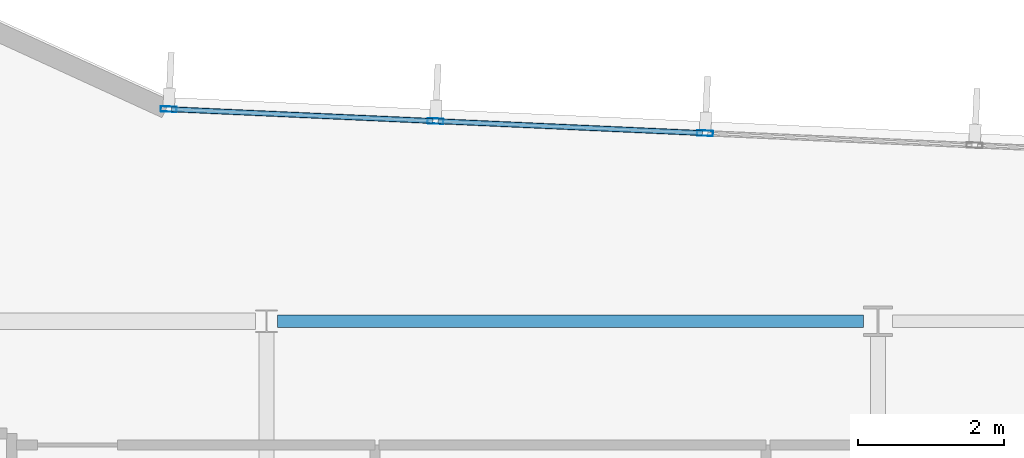
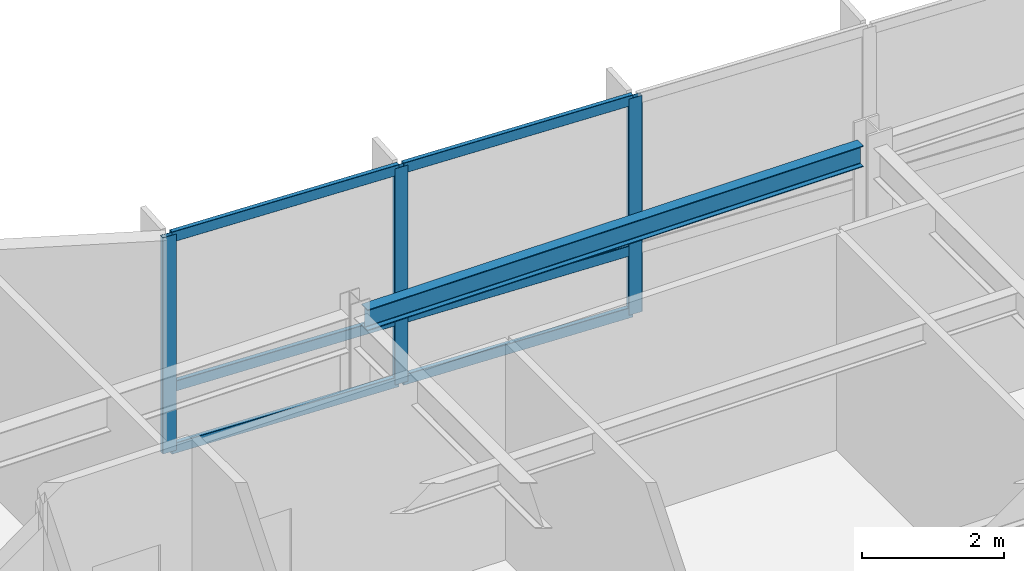
# One storey, part 5 of 18: 9 members, 1 beam, 1 element without a shape of its own.
"""IFC4 building model written with IfcOpenShell, lengths in metres."""

import ifcopenshell
import ifcopenshell.guid

model = None  # the IFC model being written
_history = None  # IfcOwnerHistory: only IFC2X3 demands one
_inside = {}  # id of a spatial element -> (the spatial element, [elements in it])
_under = {}  # id of a project, library or spatial element -> (it, [spatial elements below it])
_declared = {}  # id of a project -> (the project, [libraries it declares])
_typed = {}  # id of a type object -> (the type object, [elements of that type])
_made_of = {}  # id of a material, layer set ... -> (it, [elements and type objects made of it])


def new_model(schema):
    """Start an empty IFC model of exactly this schema.

    Asked for "IFC4X3", IfcOpenShell would pick the latest addendum, in which some entities
    have other attributes; the version numbers below select the first issue.
    IFC2X3 requires an IfcOwnerHistory on every rooted entity: one is made here for all.
    """
    global model, _history
    if schema == "IFC4X3":
        model = ifcopenshell.file(schema_version=(4, 3, 0, 0))
    else:
        model = ifcopenshell.file(schema=schema)
    _inside.clear()
    _under.clear()
    _declared.clear()
    _typed.clear()
    _made_of.clear()
    _history = None
    if model.schema == "IFC2X3":
        org = make("IfcOrganization", Name="unknown")
        user = make(
            "IfcPersonAndOrganization",
            ThePerson=make("IfcPerson", FamilyName="unknown"),
            TheOrganization=org,
        )
        app = make(
            "IfcApplication",
            ApplicationDeveloper=org,
            Version="unknown",
            ApplicationFullName="unknown",
            ApplicationIdentifier="unknown",
        )
        _history = make(
            "IfcOwnerHistory",
            OwningUser=user,
            OwningApplication=app,
            ChangeAction="ADDED",
            CreationDate=0,
        )
    return model


def make(cls, **values):
    """One entity of the class cls with the attributes given. An attribute that is None is left unset."""
    return model.create_entity(
        cls, **{name: value for name, value in values.items() if value is not None}
    )


def rooted(cls, **values):
    """An entity with a GlobalId (a new one), such as an element, a storey or a relation."""
    return make(cls, GlobalId=ifcopenshell.guid.new(), OwnerHistory=_history, **values)


def si_unit(unit_type, name, prefix=None):
    """IfcSIUnit, for example si_unit("LENGTHUNIT", "METRE", prefix="MILLI")."""
    return make("IfcSIUnit", UnitType=unit_type, Prefix=prefix, Name=name)


def assignment(units):
    """IfcUnitAssignment: the units of a project."""
    return None if units is None else make("IfcUnitAssignment", Units=units)


def point(xyz):
    """IfcCartesianPoint."""
    return None if xyz is None else make("IfcCartesianPoint", Coordinates=xyz)


def direction(xyz):
    """IfcDirection."""
    return None if xyz is None else make("IfcDirection", DirectionRatios=xyz)


def frame(location, z_axis=None, x_axis=None):
    """IfcAxis2Placement3D, a coordinate frame: its origin and axes. An axis left out is left unset."""
    return make(
        "IfcAxis2Placement3D",
        Location=point(location),
        Axis=direction(z_axis),
        RefDirection=direction(x_axis),
    )


def frame_2d(location, x_axis=None):
    """IfcAxis2Placement2D, a coordinate frame in the plane: its origin and x axis."""
    return make(
        "IfcAxis2Placement2D", Location=point(location), RefDirection=direction(x_axis)
    )


def origin():
    """The frame at (0, 0, 0) with its axes left unset."""
    return frame((0.0, 0.0, 0.0))


def origin_2d():
    """The frame at (0, 0) in the plane with its x axis left unset."""
    return frame_2d((0.0, 0.0))


def place(relative_to, where):
    """IfcLocalPlacement: puts the frame where relative to a parent placement (None: the world)."""
    return make(
        "IfcLocalPlacement", PlacementRelTo=relative_to, RelativePlacement=where
    )


def context(
    kind, dimensions, precision=None, world=None, true_north=None, identifier=None
):
    """IfcGeometricRepresentationContext, for example the 3D "Model" context."""
    return make(
        "IfcGeometricRepresentationContext",
        ContextIdentifier=identifier,
        ContextType=kind,
        CoordinateSpaceDimension=dimensions,
        Precision=precision,
        WorldCoordinateSystem=world,
        TrueNorth=true_north,
    )


def subcontext(parent, identifier, kind, view, scale=None):
    """IfcGeometricRepresentationSubContext, for example "Body" below "Model"."""
    return make(
        "IfcGeometricRepresentationSubContext",
        ContextIdentifier=identifier,
        ContextType=kind,
        ParentContext=parent,
        TargetScale=scale,
        TargetView=view,
    )


def project(units=None, contexts=None):
    """IfcProject with its units and contexts."""
    return rooted(
        "IfcProject",
        Name="project",
        RepresentationContexts=contexts,
        UnitsInContext=assignment(units),
    )


def spatial(cls, under=None, at=None, **own):
    """A site, building, storey or space (cls), placed at a placement, below another one or the project."""
    s = rooted(cls, ObjectPlacement=at, **own)
    if under is not None:
        _under.setdefault(under.id(), (under, []))[1].append(s)
    return s


def profile(cls, at=None, kind="AREA", **sizes):
    """A parametric profile (cls). Its sizes go by their IFC names, for example OverallWidth=200.0."""
    return make(cls, ProfileType=kind, Position=at, **sizes)


def hollow_rectangle(**sizes):
    """IfcRectangleHollowProfileDef."""
    return profile("IfcRectangleHollowProfileDef", **sizes)


def i_section(**sizes):
    """IfcIShapeProfileDef."""
    return profile("IfcIShapeProfileDef", **sizes)


def extrude(swept, where, along, depth):
    """IfcExtrudedAreaSolid: the profile swept, set in the frame where, extruded along a direction by depth."""
    return make(
        "IfcExtrudedAreaSolid",
        SweptArea=swept,
        Position=where,
        ExtrudedDirection=direction(along),
        Depth=depth,
    )


def shape(context_of_items, identifier, shape_type, items):
    """IfcShapeRepresentation: the items that make up one representation, for example the "Body"."""
    return make(
        "IfcShapeRepresentation",
        ContextOfItems=context_of_items,
        RepresentationIdentifier=identifier,
        RepresentationType=shape_type,
        Items=items,
    )


def material(Name=None, Category=None):
    """IfcMaterial."""
    return make("IfcMaterial", Name=Name, Category=Category)


def layer(
    of_material, thickness, ventilated=None, Name=None, Category=None, Priority=None
):
    """IfcMaterialLayer: one layer of a wall or slab, of a material (None: an air gap)."""
    return make(
        "IfcMaterialLayer",
        Material=of_material,
        LayerThickness=thickness,
        IsVentilated=ventilated,
        Name=Name,
        Category=Category,
        Priority=Priority,
    )


def layer_set(layers, Name=None):
    """IfcMaterialLayerSet."""
    return make("IfcMaterialLayerSet", MaterialLayers=layers, LayerSetName=Name)


def material_profile(
    of_material, cross_section, Name=None, Category=None, Priority=None
):
    """IfcMaterialProfile: a cross section and its material."""
    return make(
        "IfcMaterialProfile",
        Name=Name,
        Material=of_material,
        Profile=cross_section,
        Priority=Priority,
        Category=Category,
    )


def profile_set(profiles, Name=None, composite=None):
    """IfcMaterialProfileSet."""
    return make(
        "IfcMaterialProfileSet",
        Name=Name,
        MaterialProfiles=profiles,
        CompositeProfile=composite,
    )


def made_of(thing, what):
    """Note that an element or type object is made of a material, layer set ...; save() writes the relation."""
    if what is not None:
        _made_of.setdefault(what.id(), (what, []))[1].append(thing)
    return thing


def type_object(cls, material=None, **own):
    """A type object (cls), such as IfcWallType, which elements share."""
    return made_of(rooted(cls, **own), material)


def element(
    cls,
    number,
    at=None,
    inside=None,
    cuts=None,
    type_object=None,
    material=None,
    context=None,
    identifier="Body",
    shape_type=None,
    held_by="IfcProductDefinitionShape",
    body=None,
    shapes=None,
    **own,
):
    """One element of the class cls, such as IfcWall. Its Tag is "e" and its number.

    at: its placement. inside: the storey or other place that contains it. cuts: it is an
    opening in that element (IfcRelVoidsElement). A single representation is given by context,
    identifier, shape_type and body (its items); several are given by shapes. held_by: the class
    of the entity that holds the representations. save() writes the other relations.
    """
    e = rooted(cls, Tag="e%d" % number, ObjectPlacement=at, **own)
    if body is not None:
        shapes = [shape(context, identifier, shape_type, body)]
    if shapes is not None:
        e.Representation = make(held_by, Representations=shapes)
    if inside is not None:
        _inside.setdefault(inside.id(), (inside, []))[1].append(e)
    if cuts is not None:
        rooted(
            "IfcRelVoidsElement", RelatingBuildingElement=cuts, RelatedOpeningElement=e
        )
    if type_object is not None:
        _typed.setdefault(type_object.id(), (type_object, []))[1].append(e)
    return made_of(e, material)


def aggregate(whole, parts):
    """IfcRelAggregates: a whole, such as a stair, and the parts it consists of."""
    return rooted("IfcRelAggregates", RelatingObject=whole, RelatedObjects=parts)


def save(model, path):
    """Write the relations noted so far, then the file.

    IfcRelAggregates (storeys below a building ...), IfcRelContainedInSpatialStructure (elements
    in a storey), IfcRelDefinesByType, IfcRelAssociatesMaterial and IfcRelDeclares: one each for
    every whole, place, type object, material and project.
    """
    for whole, parts in _under.values():
        aggregate(whole, parts)
    for where, things in _inside.values():
        rooted(
            "IfcRelContainedInSpatialStructure",
            RelatedElements=things,
            RelatingStructure=where,
        )
    for kind, things in _typed.values():
        rooted("IfcRelDefinesByType", RelatedObjects=things, RelatingType=kind)
    for what, things in _made_of.values():
        rooted("IfcRelAssociatesMaterial", RelatedObjects=things, RelatingMaterial=what)
    for by, libraries in _declared.values():
        rooted("IfcRelDeclares", RelatingContext=by, RelatedDefinitions=libraries)
    model.write(path)


model = new_model("IFC4")

# Units and contexts
model_context = context("Model", 3, precision=1e-05, world=origin(), true_north=direction((0.0, 1.0)))
body_context = subcontext(model_context, "Body", "Model", "MODEL_VIEW")
ifc_project = project(units=[si_unit("LENGTHUNIT", "METRE"), si_unit("AREAUNIT", "SQUARE_METRE"), si_unit("VOLUMEUNIT", "CUBIC_METRE"), si_unit("PLANEANGLEUNIT", "RADIAN"), si_unit("MASSUNIT", "GRAM", prefix="KILO")], contexts=[model_context])

# Site, building, storey
site_placement = place(None, origin())
site = spatial("IfcSite", under=ifc_project, at=site_placement, CompositionType="ELEMENT")
building_placement = place(site_placement, origin())
building = spatial("IfcBuilding", under=site, at=building_placement, Name="Varnakote Quay Hospital", CompositionType="ELEMENT")
storey_placement = place(building_placement, frame((0.0, 0.0, 150.75)))
storey = spatial("IfcBuildingStorey", under=building, at=storey_placement, Name="L37", CompositionType="ELEMENT", Elevation=150.75)

# Curtain wall, members
ifc_material_1 = material(Name="Anodised aluminium 6063-T6 Bronze", Category="aluminium")
ifc_layer = layer(ifc_material_1, 0.205078125)
ifc_layer_set = layer_set([ifc_layer], Name="Anodised aluminium 6063-T6 Bronze")
curtain_wall_type = type_object("IfcCurtainWallType", Name="CW-SYS-3", PredefinedType="NOTDEFINED", material=ifc_layer_set)
curtain_wall_placement = place(storey_placement, origin())
curtain_wall = element("IfcCurtainWall", 1, at=curtain_wall_placement, inside=storey, type_object=curtain_wall_type, Name="L37 Unitised Bronze Curtain Wall 2", PredefinedType="NOTDEFINED")
ifc_material_2 = material(Name="Anodised aluminium 6063-T6 Bronze", Category="aluminium")
ifc_material_profile_1 = material_profile(ifc_material_2, hollow_rectangle(XDim=0.074951171875, YDim=0.219970703125, WallThickness=0.00439453125, InnerFilletRadius=0.00439453125, OuterFilletRadius=0.009033203125, at=origin_2d()), Name="CW-MULL-220x75")
ifc_profile_set_1 = profile_set([ifc_material_profile_1], Name="Anodised aluminium 6063-T6 Bronze")
member_type_1 = type_object("IfcMemberType", Name="CW-MULL-220x75", PredefinedType="MULLION", material=ifc_profile_set_1)
member_1_placement = place(storey_placement, frame((31.223876953125, 31.383544921875, 0.0), z_axis=(0.0, 0.0, 1.0), x_axis=(-0.044782334659, -0.998996768014, 0.0)))
member_1 = element("IfcMember", 2, at=member_1_placement, type_object=member_type_1, Name="-3-L37-2 mullion 3", PredefinedType="MULLION", context=body_context, shape_type="SweptSolid", body=[
    extrude(hollow_rectangle(XDim=0.074951171875, YDim=0.219970703125, WallThickness=0.00439453125, InnerFilletRadius=0.00439453125, OuterFilletRadius=0.009033203125, at=origin_2d()), origin(), (0.0, 0.0, 1.0), 3.7099609375),
])
member_2_placement = place(storey_placement, frame((27.520751953125, 31.549560546875, 0.0), z_axis=(0.0, 0.0, 1.0), x_axis=(-0.044782334659, -0.998996768014, 0.0)))
member_2 = element("IfcMember", 3, at=member_2_placement, type_object=member_type_1, Name="-3-L37-2 mullion 4", PredefinedType="MULLION", context=body_context, shape_type="SweptSolid", body=[
    extrude(hollow_rectangle(XDim=0.074951171875, YDim=0.219970703125, WallThickness=0.00439453125, InnerFilletRadius=0.00439453125, OuterFilletRadius=0.009033203125, at=origin_2d()), origin(), (0.0, 0.0, 1.0), 3.7099609375),
])
member_3_placement = place(storey_placement, frame((23.855224609375, 31.7138671875, 0.0), z_axis=(0.0, 0.0, 1.0), x_axis=(-0.044782334659, -0.998996768014, 0.0)))
member_3 = element("IfcMember", 4, at=member_3_placement, type_object=member_type_1, Name="-3-L37-2 mullion 5", PredefinedType="MULLION", context=body_context, shape_type="SweptSolid", body=[
    extrude(hollow_rectangle(XDim=0.074951171875, YDim=0.219970703125, WallThickness=0.00439453125, InnerFilletRadius=0.00439453125, OuterFilletRadius=0.009033203125, at=origin_2d()), origin(), (0.0, 0.0, 1.0), 3.7099609375),
])
ifc_material_3 = material(Name="Anodised aluminium 6063-T6 Bronze", Category="aluminium")
ifc_material_profile_2 = material_profile(ifc_material_3, hollow_rectangle(XDim=0.074951171875, YDim=0.179931640625, WallThickness=0.004150390625, InnerFilletRadius=0.004150390625, OuterFilletRadius=0.00830078125, at=origin_2d()), Name="CW-TRAN-180x75")
ifc_profile_set_2 = profile_set([ifc_material_profile_2], Name="Anodised aluminium 6063-T6 Bronze")
member_type_2 = type_object("IfcMemberType", Name="CW-TRAN-180x75", PredefinedType="USERDEFINED", material=ifc_profile_set_2)
member_4_placement = place(storey_placement, frame((31.1865234375, 31.38525390625, 0.03759765625), z_axis=(-0.99899730508, 0.044770352277, 0.0), x_axis=(-0.044770352277, -0.99899730508, 0.0)))
member_4 = element("IfcMember", 5, at=member_4_placement, type_object=member_type_2, Name="-3-L37-2 transom 3.1", ObjectType="TRANSOM", PredefinedType="USERDEFINED", context=body_context, shape_type="SweptSolid", body=[
    extrude(hollow_rectangle(XDim=0.074951171875, YDim=0.179931640625, WallThickness=0.004150390625, InnerFilletRadius=0.004150390625, OuterFilletRadius=0.00830078125, at=origin_2d()), origin(), (0.0, 0.0, 1.0), 3.6318359375),
])
member_5_placement = place(storey_placement, frame((31.1865234375, 31.38525390625, 1.10009765625), z_axis=(-0.99899730508, 0.044770352277, 0.0), x_axis=(-0.044770352277, -0.99899730508, 0.0)))
member_5 = element("IfcMember", 6, at=member_5_placement, type_object=member_type_2, Name="-3-L37-2 transom 3.2", ObjectType="TRANSOM", PredefinedType="USERDEFINED", context=body_context, shape_type="SweptSolid", body=[
    extrude(hollow_rectangle(XDim=0.074951171875, YDim=0.179931640625, WallThickness=0.004150390625, InnerFilletRadius=0.004150390625, OuterFilletRadius=0.00830078125, at=origin_2d()), origin(), (0.0, 0.0, 1.0), 3.6318359375),
])
member_6_placement = place(storey_placement, frame((31.1865234375, 31.38525390625, 3.672607421875), z_axis=(-0.99899730508, 0.044770352277, 0.0), x_axis=(-0.044770352277, -0.99899730508, 0.0)))
member_6 = element("IfcMember", 7, at=member_6_placement, type_object=member_type_2, Name="-3-L37-2 transom 3.3", ObjectType="TRANSOM", PredefinedType="USERDEFINED", context=body_context, shape_type="SweptSolid", body=[
    extrude(hollow_rectangle(XDim=0.074951171875, YDim=0.179931640625, WallThickness=0.004150390625, InnerFilletRadius=0.004150390625, OuterFilletRadius=0.00830078125, at=origin_2d()), origin(), (0.0, 0.0, 1.0), 3.6318359375),
])
member_7_placement = place(storey_placement, frame((27.4833984375, 31.55126953125, 0.03759765625), z_axis=(-0.998997740237, 0.044760641203, 0.0), x_axis=(-0.044760641203, -0.998997740237, 0.0)))
member_7 = element("IfcMember", 8, at=member_7_placement, type_object=member_type_2, Name="-3-L37-2 transom 4.1", ObjectType="TRANSOM", PredefinedType="USERDEFINED", context=body_context, shape_type="SweptSolid", body=[
    extrude(hollow_rectangle(XDim=0.074951171875, YDim=0.179931640625, WallThickness=0.004150390625, InnerFilletRadius=0.004150390625, OuterFilletRadius=0.00830078125, at=origin_2d()), origin(), (0.0, 0.0, 1.0), 3.594482421875),
])
member_8_placement = place(storey_placement, frame((27.4833984375, 31.55126953125, 1.10009765625), z_axis=(-0.998997740237, 0.044760641203, 0.0), x_axis=(-0.044760641203, -0.998997740237, 0.0)))
member_8 = element("IfcMember", 9, at=member_8_placement, type_object=member_type_2, Name="-3-L37-2 transom 4.2", ObjectType="TRANSOM", PredefinedType="USERDEFINED", context=body_context, shape_type="SweptSolid", body=[
    extrude(hollow_rectangle(XDim=0.074951171875, YDim=0.179931640625, WallThickness=0.004150390625, InnerFilletRadius=0.004150390625, OuterFilletRadius=0.00830078125, at=origin_2d()), origin(), (0.0, 0.0, 1.0), 3.594482421875),
])
member_9_placement = place(storey_placement, frame((27.4833984375, 31.55126953125, 3.672607421875), z_axis=(-0.998997740237, 0.044760641203, 0.0), x_axis=(-0.044760641203, -0.998997740237, 0.0)))
member_9 = element("IfcMember", 10, at=member_9_placement, type_object=member_type_2, Name="-3-L37-2 transom 4.3", ObjectType="TRANSOM", PredefinedType="USERDEFINED", context=body_context, shape_type="SweptSolid", body=[
    extrude(hollow_rectangle(XDim=0.074951171875, YDim=0.179931640625, WallThickness=0.004150390625, InnerFilletRadius=0.004150390625, OuterFilletRadius=0.00830078125, at=origin_2d()), origin(), (0.0, 0.0, 1.0), 3.594482421875),
])
aggregate(curtain_wall, [member_1, member_2, member_3, member_4, member_5, member_6, member_7, member_8, member_9])

# Beam
ifc_material_4 = material(Name="Structural steel AS/NZS 3679.1 Grade 350 L0 (fy 340 MPa)", Category="steel")
ifc_material_profile_3 = material_profile(ifc_material_4, i_section(OverallWidth=0.172119140625, OverallDepth=0.35888671875, WebThickness=0.008056640625, FlangeThickness=0.012939453125, FilletRadius=0.011474609375, at=origin_2d()), Name="360UB56.7")
ifc_profile_set_3 = profile_set([ifc_material_profile_3], Name="Structural steel AS/NZS 3679.1 Grade 350 L0 (fy 340 MPa)")
beam_type = type_object("IfcBeamType", Name="SPN-STL-360UB56-7", PredefinedType="SPANDREL", material=ifc_profile_set_3)
beam_placement = place(storey_placement, frame((25.353515625, 28.800048828125, 3.530517578125), z_axis=(1.0, 0.0, 0.0), x_axis=(0.0, 1.0, 0.0)))
element("IfcBeam", 11, at=beam_placement, inside=storey, type_object=beam_type, Name="L37 Perimeter Spandrel Beam", PredefinedType="SPANDREL", context=body_context, shape_type="SweptSolid", body=[
    extrude(i_section(OverallWidth=0.172119140625, OverallDepth=0.35888671875, WebThickness=0.008056640625, FlangeThickness=0.012939453125, FilletRadius=0.011474609375, at=origin_2d()), origin(), (0.0, 0.0, 1.0), 8.04638671875),
])

save(model, "model.ifc")
